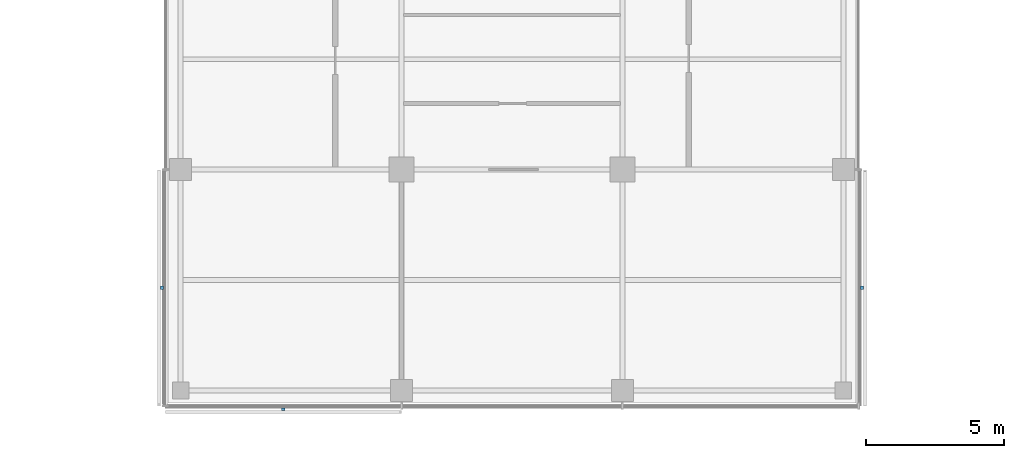
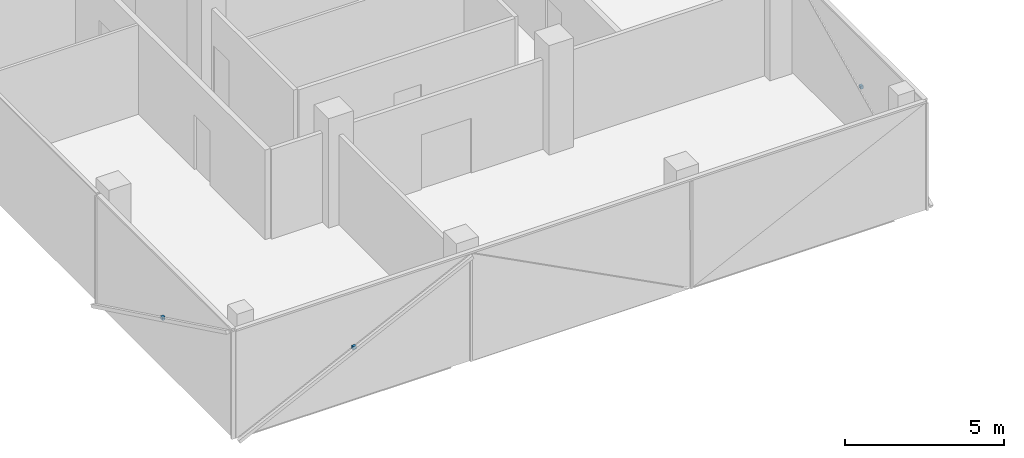
# One storey, part 14 of 16: 3 discrete accessories.
"""IFC4 building model written with IfcOpenShell, lengths in metres."""

from ifc_helpers import new_model, si_unit, direction, frame, origin, origin_2d, place, context, subcontext, project, spatial, rectangle, extrude, material, type_object, element, save


model = new_model("IFC4")

# Units and contexts
model_context = context("Model", 3, precision=1e-05, world=origin(), true_north=direction((0.0, 1.0)))
body_context = subcontext(model_context, "Body", "Model", "MODEL_VIEW")
ifc_project = project(units=[si_unit("LENGTHUNIT", "METRE"), si_unit("AREAUNIT", "SQUARE_METRE"), si_unit("VOLUMEUNIT", "CUBIC_METRE"), si_unit("PLANEANGLEUNIT", "RADIAN"), si_unit("MASSUNIT", "GRAM", prefix="KILO")], contexts=[model_context])

# Site, building, storey
site_placement = place(None, origin())
site = spatial("IfcSite", under=ifc_project, at=site_placement, CompositionType="ELEMENT")
building_placement = place(site_placement, origin())
building = spatial("IfcBuilding", under=site, at=building_placement, Name="Crosswind Convention Tower", CompositionType="ELEMENT")
storey_placement = place(building_placement, frame((0.0, 0.0, 208.300048828125)))
storey = spatial("IfcBuildingStorey", under=building, at=storey_placement, Name="L44", CompositionType="ELEMENT", Elevation=208.300048828125)

# Discrete accessories
ifc_material = material(Name="Stainless steel", Category="steel")
discrete_accessory_type = type_object("IfcDiscreteAccessoryType", Name="BAGUETTE BRACKET BK3", PredefinedType="BRACKET", material=ifc_material)
for number, where, z_axis, x_axis, name in (
    (1, (112.323974609375, 75.719970703125, 1.704833984375), (0.0, 0.0, 1.0), (0.0, -1.0, 0.0), "BK3 baguette bracket"),
    (2, (116.719970703125, 71.323974609375, 1.704833984375), (0.0, 0.0, 1.0), (1.0, 0.0, 0.0), "BK3 baguette bracket"),
    (3, (137.676025390625, 75.719970703125, 1.704833984375), (0.0, 0.0, 1.0), (0.0, 1.0, 0.0), "BK3 baguette bracket"),
):
    element("IfcDiscreteAccessory", number, at=place(storey_placement, frame(where, z_axis=z_axis, x_axis=x_axis)), inside=storey, type_object=discrete_accessory_type, Name=name, PredefinedType="BRACKET", context=body_context, shape_type="SweptSolid", body=[
        extrude(rectangle(XDim=0.1201171875, YDim=0.10009765625, at=origin_2d()), origin(), (0.0, 0.0, 1.0), 0.1201171875),
    ])

save(model, "model.ifc")
